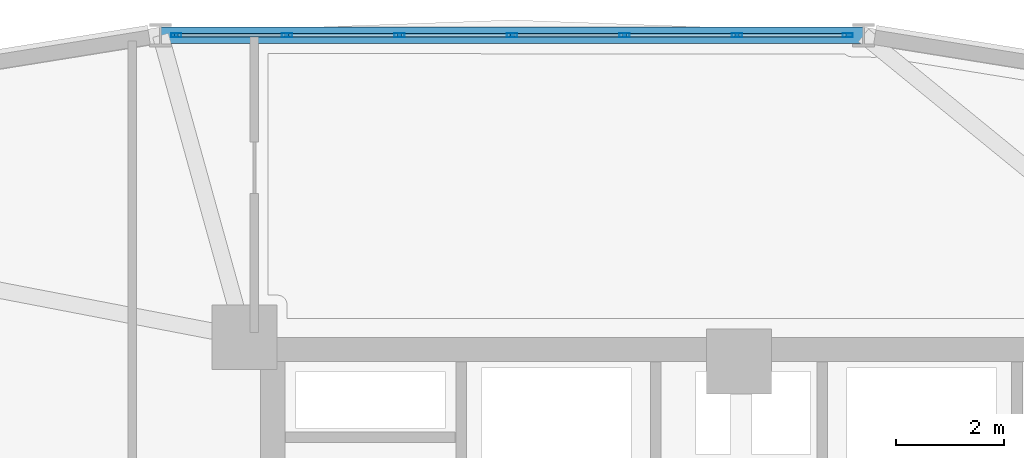
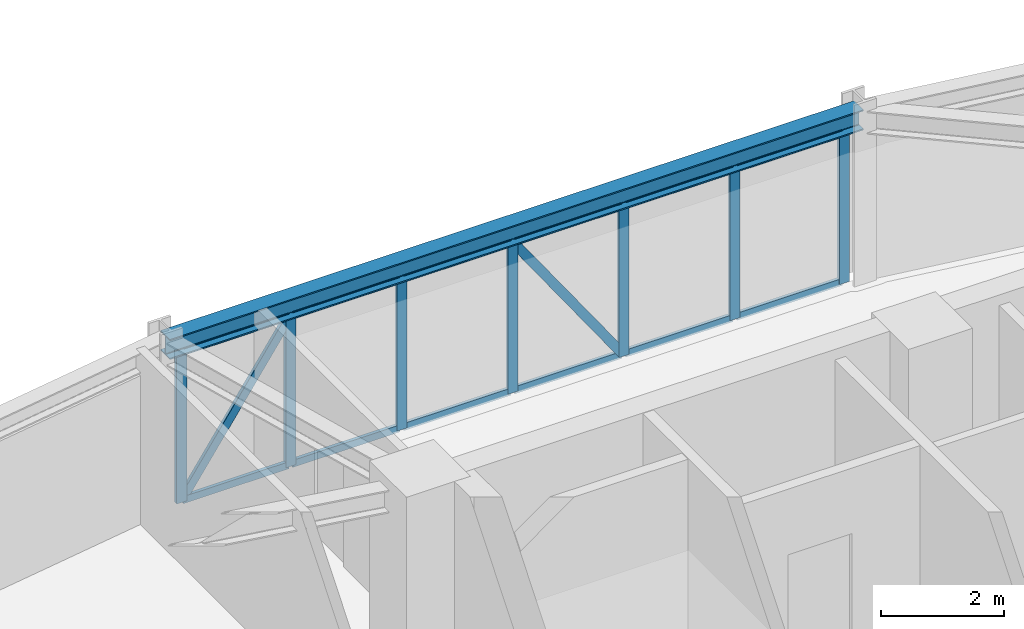
# One storey, part 8 of 15: 21 members, 1 beam, 1 element without a shape of its own.
"""IFC4 building model written with IfcOpenShell, lengths in metres."""

from ifc_helpers import new_model, si_unit, derived_unit, direction, frame, origin, origin_2d, place, context, subcontext, project, spatial, hollow_rectangle, i_section, extrude, source, transform, mapped, material, layer, layer_set, material_profile, profile_set, type_object, element, aggregate, save


model = new_model("IFC4")

# Units and contexts
model_context = context("Model", 3, precision=1e-05, world=origin(), true_north=direction((0.0, 1.0)))
body_context = subcontext(model_context, "Body", "Model", "MODEL_VIEW")
ifc_project = project(units=[si_unit("LENGTHUNIT", "METRE"), si_unit("AREAUNIT", "SQUARE_METRE"), si_unit("VOLUMEUNIT", "CUBIC_METRE"), si_unit("PLANEANGLEUNIT", "RADIAN"), si_unit("MASSUNIT", "GRAM", prefix="KILO"), derived_unit("THERMALTRANSMITTANCEUNIT", [(si_unit("POWERUNIT", "WATT"), 1), (si_unit("LENGTHUNIT", "METRE"), -2), (si_unit("THERMODYNAMICTEMPERATUREUNIT", "KELVIN"), -1)])], contexts=[model_context])

# Site, building, storey
site_placement = place(None, origin())
site = spatial("IfcSite", under=ifc_project, at=site_placement, CompositionType="ELEMENT")
building_placement = place(site_placement, origin())
building = spatial("IfcBuilding", under=site, at=building_placement, Name="Korsvarv Bourse and Concert Hall", CompositionType="ELEMENT")
storey_placement = place(building_placement, frame((0.0, 0.0, 150.60009765625)))
storey = spatial("IfcBuildingStorey", under=building, at=storey_placement, Name="L38", CompositionType="ELEMENT", Elevation=150.60009765625)

# Beam
ifc_material_1 = material(Name="Steel S355", Category="steel")
ifc_material_profile_1 = material_profile(ifc_material_1, i_section(OverallWidth=0.300048828125, OverallDepth=0.39990234375, WebThickness=0.013427734375, FlangeThickness=0.02392578125, FilletRadius=0.02099609375, at=origin_2d()), Name="HEB 400")
ifc_profile_set_1 = profile_set([ifc_material_profile_1], Name="Steel S355")
beam_type = type_object("IfcBeamType", Name="BM-HEB400", PredefinedType="SPANDREL", material=ifc_profile_set_1)
shared_shape_1 = source(origin(), body_context, "Body", "SweptSolid", [
    extrude(i_section(OverallWidth=0.300048828125, OverallDepth=0.39990234375, WebThickness=0.013427734375, FlangeThickness=0.02392578125, FilletRadius=0.02099609375, at=origin_2d()), origin(), (0.0, 0.0, 1.0), 13.00146484375),
])
beam_placement = place(storey_placement, frame((38.30078125, 52.83642578125, 3.199951171875), z_axis=(-1.0, 0.0, 0.0), x_axis=(0.0, -1.0, 0.0)))
element("IfcBeam", 1, at=beam_placement, inside=storey, type_object=beam_type, Name="L38 beam B-09", PredefinedType="SPANDREL", context=body_context, shape_type="MappedRepresentation", body=[
    mapped(shared_shape_1, transform((0.0, 0.0, 0.0), scale=1.0)),
])

# Curtain wall, members
ifc_material_2 = material(Name="Anodised aluminium and triple low-E glazing", Category="glass")
ifc_layer = layer(ifc_material_2, 0.2099609375)
ifc_layer_set = layer_set([ifc_layer], Name="Anodised aluminium and triple low-E glazing")
curtain_wall_type = type_object("IfcCurtainWallType", Name="CW-SYS-2", PredefinedType="NOTDEFINED", material=ifc_layer_set)
curtain_wall_placement = place(storey_placement, origin())
curtain_wall = element("IfcCurtainWall", 2, at=curtain_wall_placement, inside=storey, type_object=curtain_wall_type, Name="L38 CW2 curtain wall CW-L38-F03", PredefinedType="NOTDEFINED")
ifc_material_3 = material(Name="Extruded aluminium EN AW-6063 T66", Category="aluminium")
ifc_material_profile_2 = material_profile(ifc_material_3, hollow_rectangle(XDim=0.070068359375, YDim=0.18994140625, WallThickness=0.0048828125, at=origin_2d()), Name="ALU-M 70x190")
ifc_profile_set_2 = profile_set([ifc_material_profile_2], Name="Extruded aluminium EN AW-6063 T66")
member_type_1 = type_object("IfcMemberType", Name="CWM-190", PredefinedType="MULLION", material=ifc_profile_set_2)
shared_shape_2 = source(origin(), body_context, "Body", "SweptSolid", [
    extrude(hollow_rectangle(XDim=0.070068359375, YDim=0.18994140625, WallThickness=0.0048828125, at=origin_2d()), origin(), (0.0, 0.0, 1.0), 3.0),
])
member_1_placement = place(storey_placement, frame((38.009765625, 52.83642578125, 0.0), z_axis=(0.0, 0.0, 1.0), x_axis=(0.0, -1.0, 0.0)))
member_1 = element("IfcMember", 3, at=member_1_placement, type_object=member_type_1, Name="CW2 mullion 1", PredefinedType="MULLION", context=body_context, shape_type="MappedRepresentation", body=[
    mapped(shared_shape_2, transform((0.0, 0.0, 0.0), scale=1.0)),
])
member_2_placement = place(storey_placement, frame((35.963134765625, 52.83642578125, 0.0), z_axis=(0.0, 0.0, 1.0), x_axis=(0.0, -1.0, 0.0)))
member_2 = element("IfcMember", 4, at=member_2_placement, type_object=member_type_1, Name="CW2 mullion 2", PredefinedType="MULLION", context=body_context, shape_type="MappedRepresentation", body=[
    mapped(shared_shape_2, transform((0.0, 0.0, 0.0), scale=1.0)),
])
member_3_placement = place(storey_placement, frame((33.881591796875, 52.83642578125, 0.0), z_axis=(0.0, 0.0, 1.0), x_axis=(0.0, -1.0, 0.0)))
member_3 = element("IfcMember", 5, at=member_3_placement, type_object=member_type_1, Name="CW2 mullion 3", PredefinedType="MULLION", context=body_context, shape_type="MappedRepresentation", body=[
    mapped(shared_shape_2, transform((0.0, 0.0, 0.0), scale=1.0)),
])
member_4_placement = place(storey_placement, frame((31.800048828125, 52.83642578125, 0.0), z_axis=(0.0, 0.0, 1.0), x_axis=(0.0, -1.0, 0.0)))
member_4 = element("IfcMember", 6, at=member_4_placement, type_object=member_type_1, Name="CW2 mullion 4", PredefinedType="MULLION", context=body_context, shape_type="MappedRepresentation", body=[
    mapped(shared_shape_2, transform((0.0, 0.0, 0.0), scale=1.0)),
])
member_5_placement = place(storey_placement, frame((29.718505859375, 52.83642578125, 0.0), z_axis=(0.0, 0.0, 1.0), x_axis=(0.0, -1.0, 0.0)))
member_5 = element("IfcMember", 7, at=member_5_placement, type_object=member_type_1, Name="CW2 mullion 5", PredefinedType="MULLION", context=body_context, shape_type="MappedRepresentation", body=[
    mapped(shared_shape_2, transform((0.0, 0.0, 0.0), scale=1.0)),
])
member_6_placement = place(storey_placement, frame((27.63671875, 52.83642578125, 0.0), z_axis=(0.0, 0.0, 1.0), x_axis=(0.0, -1.0, 0.0)))
member_6 = element("IfcMember", 8, at=member_6_placement, type_object=member_type_1, Name="CW2 mullion 6", PredefinedType="MULLION", context=body_context, shape_type="MappedRepresentation", body=[
    mapped(shared_shape_2, transform((0.0, 0.0, 0.0), scale=1.0)),
])
member_7_placement = place(storey_placement, frame((25.590087890625, 52.83642578125, 0.0), z_axis=(0.0, 0.0, 1.0), x_axis=(0.0, -1.0, 0.0)))
member_7 = element("IfcMember", 9, at=member_7_placement, type_object=member_type_1, Name="CW2 mullion 7", PredefinedType="MULLION", context=body_context, shape_type="MappedRepresentation", body=[
    mapped(shared_shape_2, transform((0.0, 0.0, 0.0), scale=1.0)),
])
ifc_material_profile_3 = material_profile(ifc_material_3, hollow_rectangle(XDim=0.06494140625, YDim=0.139892578125, WallThickness=0.00390625, at=origin_2d()), Name="ALU-T 65x140")
ifc_profile_set_3 = profile_set([ifc_material_profile_3], Name="Extruded aluminium EN AW-6063 T66")
member_type_2 = type_object("IfcMemberType", Name="CWT-140", PredefinedType="USERDEFINED", material=ifc_profile_set_3)
shared_shape_3 = source(origin(), body_context, "Body", "SweptSolid", [
    extrude(hollow_rectangle(XDim=0.06494140625, YDim=0.139892578125, WallThickness=0.00390625, at=origin_2d()), origin(), (0.0, 0.0, 1.0), 1.9765625),
])
member_8_placement = place(storey_placement, frame((37.974853515625, 52.83642578125, 0.032470703125), z_axis=(-1.0, 0.0, 0.0), x_axis=(0.0, -1.0, 0.0)))
member_8 = element("IfcMember", 10, at=member_8_placement, type_object=member_type_2, Name="CW2 transom 1.1", ObjectType="TRANSOM", PredefinedType="USERDEFINED", context=body_context, shape_type="MappedRepresentation", body=[
    mapped(shared_shape_3, transform((0.0, 0.0, 0.0), scale=1.0)),
])
member_9_placement = place(storey_placement, frame((37.974853515625, 52.83642578125, 2.96728515625), z_axis=(-1.0, 0.0, 0.0), x_axis=(0.0, -1.0, 0.0)))
member_9 = element("IfcMember", 11, at=member_9_placement, type_object=member_type_2, Name="CW2 transom 1.2", ObjectType="TRANSOM", PredefinedType="USERDEFINED", context=body_context, shape_type="MappedRepresentation", body=[
    mapped(shared_shape_3, transform((0.0, 0.0, 0.0), scale=1.0)),
])
member_10_placement = place(storey_placement, frame((27.601806640625, 52.83642578125, 0.032470703125), z_axis=(-1.0, 0.0, 0.0), x_axis=(0.0, -1.0, 0.0)))
member_10 = element("IfcMember", 12, at=member_10_placement, type_object=member_type_2, Name="CW2 transom 6.1", ObjectType="TRANSOM", PredefinedType="USERDEFINED", context=body_context, shape_type="MappedRepresentation", body=[
    mapped(shared_shape_3, transform((0.0, 0.0, 0.0), scale=1.0)),
])
member_11_placement = place(storey_placement, frame((27.601806640625, 52.83642578125, 2.96728515625), z_axis=(-1.0, 0.0, 0.0), x_axis=(0.0, -1.0, 0.0)))
member_11 = element("IfcMember", 13, at=member_11_placement, type_object=member_type_2, Name="CW2 transom 6.2", ObjectType="TRANSOM", PredefinedType="USERDEFINED", context=body_context, shape_type="MappedRepresentation", body=[
    mapped(shared_shape_3, transform((0.0, 0.0, 0.0), scale=1.0)),
])
shared_shape_4 = source(origin(), body_context, "Body", "SweptSolid", [
    extrude(hollow_rectangle(XDim=0.06494140625, YDim=0.139892578125, WallThickness=0.00390625, at=origin_2d()), origin(), (0.0, 0.0, 1.0), 2.01171875),
])
member_12_placement = place(storey_placement, frame((35.92822265625, 52.83642578125, 0.032470703125), z_axis=(-1.0, 0.0, 0.0), x_axis=(0.0, -1.0, 0.0)))
member_12 = element("IfcMember", 14, at=member_12_placement, type_object=member_type_2, Name="CW2 transom 2.1", ObjectType="TRANSOM", PredefinedType="USERDEFINED", context=body_context, shape_type="MappedRepresentation", body=[
    mapped(shared_shape_4, transform((0.0, 0.0, 0.0), scale=1.0)),
])
member_13_placement = place(storey_placement, frame((35.92822265625, 52.83642578125, 2.96728515625), z_axis=(-1.0, 0.0, 0.0), x_axis=(0.0, -1.0, 0.0)))
member_13 = element("IfcMember", 15, at=member_13_placement, type_object=member_type_2, Name="CW2 transom 2.2", ObjectType="TRANSOM", PredefinedType="USERDEFINED", context=body_context, shape_type="MappedRepresentation", body=[
    mapped(shared_shape_4, transform((0.0, 0.0, 0.0), scale=1.0)),
])
member_14_placement = place(storey_placement, frame((33.8466796875, 52.83642578125, 0.032470703125), z_axis=(-1.0, 0.0, 0.0), x_axis=(0.0, -1.0, 0.0)))
member_14 = element("IfcMember", 16, at=member_14_placement, type_object=member_type_2, Name="CW2 transom 3.1", ObjectType="TRANSOM", PredefinedType="USERDEFINED", context=body_context, shape_type="MappedRepresentation", body=[
    mapped(shared_shape_4, transform((0.0, 0.0, 0.0), scale=1.0)),
])
member_15_placement = place(storey_placement, frame((33.8466796875, 52.83642578125, 2.96728515625), z_axis=(-1.0, 0.0, 0.0), x_axis=(0.0, -1.0, 0.0)))
member_15 = element("IfcMember", 17, at=member_15_placement, type_object=member_type_2, Name="CW2 transom 3.2", ObjectType="TRANSOM", PredefinedType="USERDEFINED", context=body_context, shape_type="MappedRepresentation", body=[
    mapped(shared_shape_4, transform((0.0, 0.0, 0.0), scale=1.0)),
])
shared_shape_5 = source(origin(), body_context, "Body", "SweptSolid", [
    extrude(hollow_rectangle(XDim=0.06494140625, YDim=0.139892578125, WallThickness=0.00390625, at=origin_2d()), origin(), (0.0, 0.0, 1.0), 2.011474609375),
])
member_16_placement = place(storey_placement, frame((31.764892578125, 52.83642578125, 0.032470703125), z_axis=(-1.0, 0.0, 0.0), x_axis=(0.0, -1.0, 0.0)))
member_16 = element("IfcMember", 18, at=member_16_placement, type_object=member_type_2, Name="CW2 transom 4.1", ObjectType="TRANSOM", PredefinedType="USERDEFINED", context=body_context, shape_type="MappedRepresentation", body=[
    mapped(shared_shape_5, transform((0.0, 0.0, 0.0), scale=1.0)),
])
member_17_placement = place(storey_placement, frame((31.764892578125, 52.83642578125, 2.96728515625), z_axis=(-1.0, 0.0, 0.0), x_axis=(0.0, -1.0, 0.0)))
member_17 = element("IfcMember", 19, at=member_17_placement, type_object=member_type_2, Name="CW2 transom 4.2", ObjectType="TRANSOM", PredefinedType="USERDEFINED", context=body_context, shape_type="MappedRepresentation", body=[
    mapped(shared_shape_5, transform((0.0, 0.0, 0.0), scale=1.0)),
])
member_18_placement = place(storey_placement, frame((29.683349609375, 52.83642578125, 0.032470703125), z_axis=(-1.0, 0.0, 0.0), x_axis=(0.0, -1.0, 0.0)))
member_18 = element("IfcMember", 20, at=member_18_placement, type_object=member_type_2, Name="CW2 transom 5.1", ObjectType="TRANSOM", PredefinedType="USERDEFINED", context=body_context, shape_type="MappedRepresentation", body=[
    mapped(shared_shape_5, transform((0.0, 0.0, 0.0), scale=1.0)),
])
member_19_placement = place(storey_placement, frame((29.683349609375, 52.83642578125, 2.96728515625), z_axis=(-1.0, 0.0, 0.0), x_axis=(0.0, -1.0, 0.0)))
member_19 = element("IfcMember", 21, at=member_19_placement, type_object=member_type_2, Name="CW2 transom 5.2", ObjectType="TRANSOM", PredefinedType="USERDEFINED", context=body_context, shape_type="MappedRepresentation", body=[
    mapped(shared_shape_5, transform((0.0, 0.0, 0.0), scale=1.0)),
])
ifc_material_profile_4 = material_profile(ifc_material_3, hollow_rectangle(XDim=0.06494140625, YDim=0.1650390625, WallThickness=0.0048828125, at=origin_2d()), Name="ALU-M 65x165")
ifc_profile_set_4 = profile_set([ifc_material_profile_4], Name="Extruded aluminium EN AW-6063 T66")
member_type_3 = type_object("IfcMemberType", Name="CWM-165", PredefinedType="MULLION", material=ifc_profile_set_4)
shared_shape_6 = source(origin(), body_context, "Body", "SweptSolid", [
    extrude(hollow_rectangle(XDim=0.06494140625, YDim=0.1650390625, WallThickness=0.0048828125, at=origin_2d()), origin(), (0.0, 0.0, 1.0), 3.504638671875),
])
member_20_placement = place(storey_placement, frame((33.8466796875, 52.83642578125, 0.06494140625), z_axis=(-0.573999866536, 0.0, 0.818855392128), x_axis=(0.0, -1.0, 0.0)))
member_20 = element("IfcMember", 22, at=member_20_placement, type_object=member_type_3, Name="CW2 diagonal mullion 3", PredefinedType="MULLION", context=body_context, shape_type="MappedRepresentation", body=[
    mapped(shared_shape_6, transform((0.0, 0.0, 0.0), scale=1.0)),
])
shared_shape_7 = source(origin(), body_context, "Body", "SweptSolid", [
    extrude(hollow_rectangle(XDim=0.06494140625, YDim=0.1650390625, WallThickness=0.0048828125, at=origin_2d()), origin(), (0.0, 0.0, 1.0), 3.484619140625),
])
member_21_placement = place(storey_placement, frame((25.625244140625, 52.83642578125, 0.06494140625), z_axis=(0.567215486032, 0.0, 0.823569421728), x_axis=(0.0, 1.0, 0.0)))
member_21 = element("IfcMember", 23, at=member_21_placement, type_object=member_type_3, Name="CW2 diagonal mullion 6", PredefinedType="MULLION", context=body_context, shape_type="MappedRepresentation", body=[
    mapped(shared_shape_7, transform((0.0, 0.0, 0.0), scale=1.0)),
])
aggregate(curtain_wall, [member_1, member_2, member_3, member_4, member_5, member_6, member_7, member_8, member_9, member_12, member_13, member_14, member_15, member_20, member_16, member_17, member_18, member_19, member_10, member_11, member_21])

save(model, "model.ifc")
